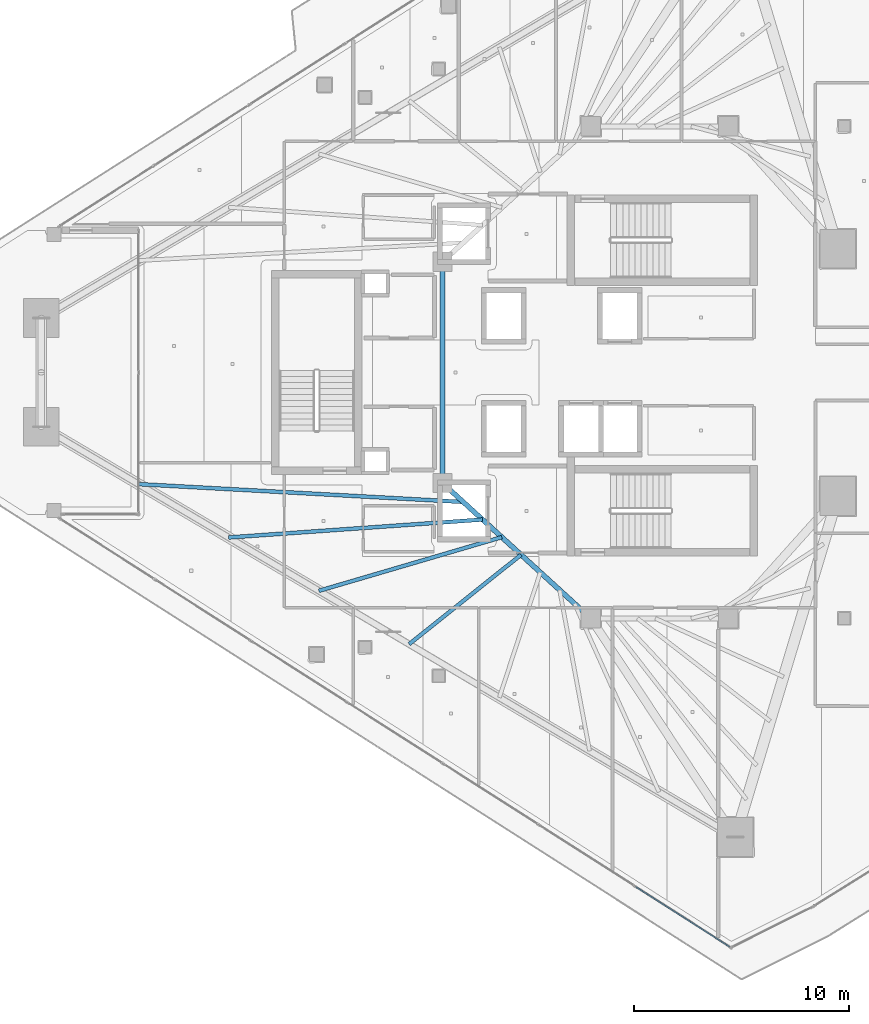
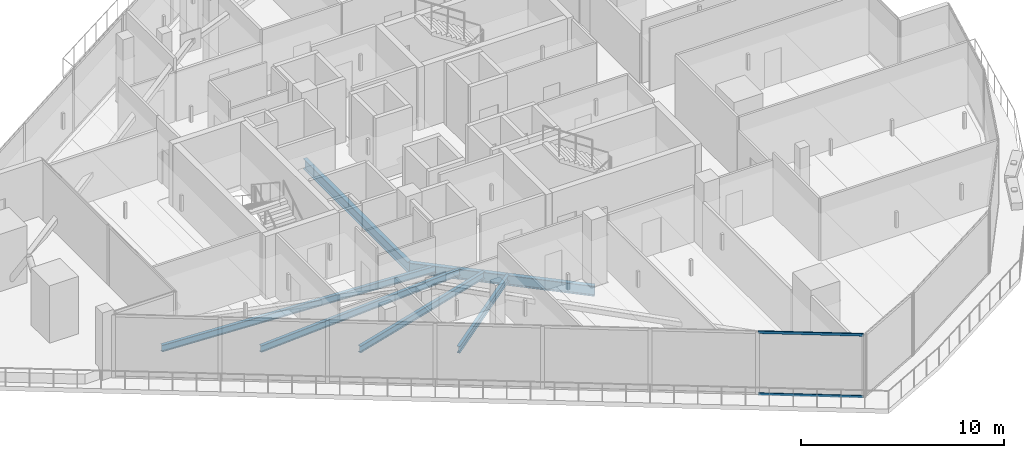
# One storey, part 10 of 40: 6 beams, 2 members, 1 element without a shape of its own.
"""IFC4 building model written with IfcOpenShell, lengths in metres."""

from ifc_helpers import new_model, si_unit, direction, frame, origin, origin_2d, place, context, subcontext, project, spatial, hollow_rectangle, i_section, extrude, material, layer, layer_set, material_profile, profile_set, type_object, element, aggregate, save


model = new_model("IFC4")

# Units and contexts
model_context = context("Model", 3, precision=1e-05, world=origin(), true_north=direction((0.0, 1.0)))
body_context = subcontext(model_context, "Body", "Model", "MODEL_VIEW")
ifc_project = project(units=[si_unit("LENGTHUNIT", "METRE"), si_unit("AREAUNIT", "SQUARE_METRE"), si_unit("VOLUMEUNIT", "CUBIC_METRE"), si_unit("PLANEANGLEUNIT", "RADIAN"), si_unit("MASSUNIT", "GRAM", prefix="KILO")], contexts=[model_context])

# Site, building, storey
site_placement = place(None, origin())
site = spatial("IfcSite", under=ifc_project, at=site_placement, CompositionType="ELEMENT")
building_placement = place(site_placement, origin())
building = spatial("IfcBuilding", under=site, at=building_placement, Name="Qorvath Tower", CompositionType="ELEMENT")
storey_placement = place(building_placement, frame((0.0, 0.0, 225.300048828125)))
storey = spatial("IfcBuildingStorey", under=building, at=storey_placement, Name="L52", CompositionType="ELEMENT", Elevation=225.300048828125)

# Beams
ifc_material_1 = material(Name="Steel ASTM A992 Grade 50", Category="steel")
ifc_material_profile_1 = material_profile(ifc_material_1, i_section(OverallWidth=0.22998046875, OverallDepth=0.616943359375, WebThickness=0.01318359375, FlangeThickness=0.022216796875, FilletRadius=0.014892578125, at=origin_2d()), Name="W24x94")
ifc_profile_set_1 = profile_set([ifc_material_profile_1], Name="Steel ASTM A992 Grade 50")
beam_type_1 = type_object("IfcBeamType", Name="BM-FG6", PredefinedType="BEAM", material=ifc_profile_set_1)
beam_1_placement = place(storey_placement, frame((-23.60009765625, -11.449951171875, -0.57861328125), z_axis=(-0.73847813985, 0.6742774184, 0.0), x_axis=(-0.6742774184, -0.73847813985, 0.0)))
element("IfcBeam", 1, at=beam_1_placement, inside=storey, type_object=beam_type_1, Name="Core Ring Girder CC4-CC6 L52", PredefinedType="BEAM", context=body_context, shape_type="SweptSolid", body=[
    extrude(i_section(OverallWidth=0.22998046875, OverallDepth=0.616943359375, WebThickness=0.01318359375, FlangeThickness=0.022216796875, FilletRadius=0.014892578125, at=origin_2d()), origin(), (0.0, 0.0, 1.0), 9.343505859375),
])
beam_2_placement = place(storey_placement, frame((-30.5, -5.14990234375, -0.57861328125), z_axis=(0.0, 1.0, 0.0), x_axis=(-1.0, 0.0, 0.0)))
element("IfcBeam", 2, at=beam_2_placement, inside=storey, type_object=beam_type_1, Name="Core Ring Girder CC6-CC5 L52", PredefinedType="BEAM", context=body_context, shape_type="SweptSolid", body=[
    extrude(i_section(OverallWidth=0.22998046875, OverallDepth=0.616943359375, WebThickness=0.01318359375, FlangeThickness=0.022216796875, FilletRadius=0.014892578125, at=origin_2d()), origin(), (0.0, 0.0, 1.0), 10.2998046875),
])
ifc_material_2 = material(Name="Steel ASTM A992 Grade 50", Category="steel")
ifc_material_profile_2 = material_profile(ifc_material_2, i_section(OverallWidth=0.177978515625, OverallDepth=0.406005859375, WebThickness=0.0078125, FlangeThickness=0.0126953125, FilletRadius=0.010986328125, at=origin_2d()), Name="W16x40")
ifc_profile_set_2 = profile_set([ifc_material_profile_2], Name="Steel ASTM A992 Grade 50")
beam_type_2 = type_object("IfcBeamType", Name="BM-FJ3", PredefinedType="JOIST", material=ifc_profile_set_2)
beam_3_placement = place(storey_placement, frame((-29.533935546875, -6.031982421875, -0.47314453125), z_axis=(-0.998494745044, 0.054847462293, 0.0), x_axis=(-0.054847462293, -0.998494745044, 0.0)))
element("IfcBeam", 3, at=beam_3_placement, inside=storey, type_object=beam_type_2, Name="Composite Floor Joist SW1 L52", PredefinedType="JOIST", context=body_context, shape_type="SweptSolid", body=[
    extrude(i_section(OverallWidth=0.177978515625, OverallDepth=0.406005859375, WebThickness=0.0078125, FlangeThickness=0.0126953125, FilletRadius=0.010986328125, at=origin_2d()), origin(), (0.0, 0.0, 1.0), 15.138671875),
])
beam_4_placement = place(storey_placement, frame((-28.636962890625, -6.85107421875, -0.47314453125), z_axis=(-0.997520476731, -0.070376832146, 0.0), x_axis=(0.070376832146, -0.997520476731, 0.0)))
element("IfcBeam", 4, at=beam_4_placement, inside=storey, type_object=beam_type_2, Name="Composite Floor Joist SW2 L52", PredefinedType="JOIST", context=body_context, shape_type="SweptSolid", body=[
    extrude(i_section(OverallWidth=0.177978515625, OverallDepth=0.406005859375, WebThickness=0.0078125, FlangeThickness=0.0126953125, FilletRadius=0.010986328125, at=origin_2d()), origin(), (0.0, 0.0, 1.0), 11.84326171875),
])
beam_5_placement = place(storey_placement, frame((-27.739990234375, -7.669921875, -0.47314453125), z_axis=(-0.959544992264, -0.281555337049, 0.0), x_axis=(0.281555337049, -0.959544992264, 0.0)))
element("IfcBeam", 5, at=beam_5_placement, inside=storey, type_object=beam_type_2, Name="Composite Floor Joist SW3 L52", PredefinedType="JOIST", context=body_context, shape_type="SweptSolid", body=[
    extrude(i_section(OverallWidth=0.177978515625, OverallDepth=0.406005859375, WebThickness=0.0078125, FlangeThickness=0.0126953125, FilletRadius=0.010986328125, at=origin_2d()), origin(), (0.0, 0.0, 1.0), 8.87060546875),
])
beam_6_placement = place(storey_placement, frame((-26.843017578125, -8.489013671875, -0.47314453125), z_axis=(-0.781336553339, -0.624109918537, 0.0), x_axis=(0.624109918537, -0.781336553339, 0.0)))
element("IfcBeam", 6, at=beam_6_placement, inside=storey, type_object=beam_type_2, Name="Composite Floor Joist SW4 L52", PredefinedType="JOIST", context=body_context, shape_type="SweptSolid", body=[
    extrude(i_section(OverallWidth=0.177978515625, OverallDepth=0.406005859375, WebThickness=0.0078125, FlangeThickness=0.0126953125, FilletRadius=0.010986328125, at=origin_2d()), origin(), (0.0, 0.0, 1.0), 6.667724609375),
])

# Curtain wall, members
ifc_material_3 = material(Name="Anodised aluminium and triple low-E glass", Category="aluminium")
ifc_layer = layer(ifc_material_3, 0.179931640625)
ifc_layer_set = layer_set([ifc_layer], Name="CW-SYS-5")
curtain_wall_type = type_object("IfcCurtainWallType", Name="CW-SYS-5", PredefinedType="NOTDEFINED", material=ifc_layer_set)
curtain_wall_placement = place(storey_placement, origin())
curtain_wall = element("IfcCurtainWall", 7, at=curtain_wall_placement, inside=storey, type_object=curtain_wall_type, Name="Curtain Wall CW-5 CW-T-L52-4.1", PredefinedType="NOTDEFINED")
ifc_material_4 = material(Name="Anodised aluminium 6063-T6", Category="aluminium")
ifc_material_profile_3 = material_profile(ifc_material_4, hollow_rectangle(XDim=0.06494140625, YDim=0.159912109375, WallThickness=0.00341796875, InnerFilletRadius=0.00341796875, OuterFilletRadius=0.007080078125, at=origin_2d()), Name="CWT 160x65")
ifc_profile_set_3 = profile_set([ifc_material_profile_3], Name="Anodised aluminium 6063-T6")
member_type = type_object("IfcMemberType", Name="CWT-160", PredefinedType="USERDEFINED", material=ifc_profile_set_3)
member_1_placement = place(storey_placement, frame((-21.50927734375, -23.940673828125, 0.032470703125), z_axis=(0.842582365936, -0.538567504232, 0.0), x_axis=(0.538567504232, 0.842582365936, 0.0)))
member_1 = element("IfcMember", 8, at=member_1_placement, type_object=member_type, Name="CW-5 transom 7.1", ObjectType="TRANSOM", PredefinedType="USERDEFINED", context=body_context, shape_type="SweptSolid", body=[
    extrude(hollow_rectangle(XDim=0.06494140625, YDim=0.159912109375, WallThickness=0.00341796875, InnerFilletRadius=0.00341796875, OuterFilletRadius=0.007080078125, at=origin_2d()), origin(), (0.0, 0.0, 1.0), 5.187744140625),
])
member_2_placement = place(storey_placement, frame((-21.50927734375, -23.940673828125, 3.74755859375), z_axis=(0.842582365936, -0.538567504232, 0.0), x_axis=(0.538567504232, 0.842582365936, 0.0)))
member_2 = element("IfcMember", 9, at=member_2_placement, type_object=member_type, Name="CW-5 transom 7.2", ObjectType="TRANSOM", PredefinedType="USERDEFINED", context=body_context, shape_type="SweptSolid", body=[
    extrude(hollow_rectangle(XDim=0.06494140625, YDim=0.159912109375, WallThickness=0.00341796875, InnerFilletRadius=0.00341796875, OuterFilletRadius=0.007080078125, at=origin_2d()), origin(), (0.0, 0.0, 1.0), 5.187744140625),
])
aggregate(curtain_wall, [member_1, member_2])

save(model, "model.ifc")
